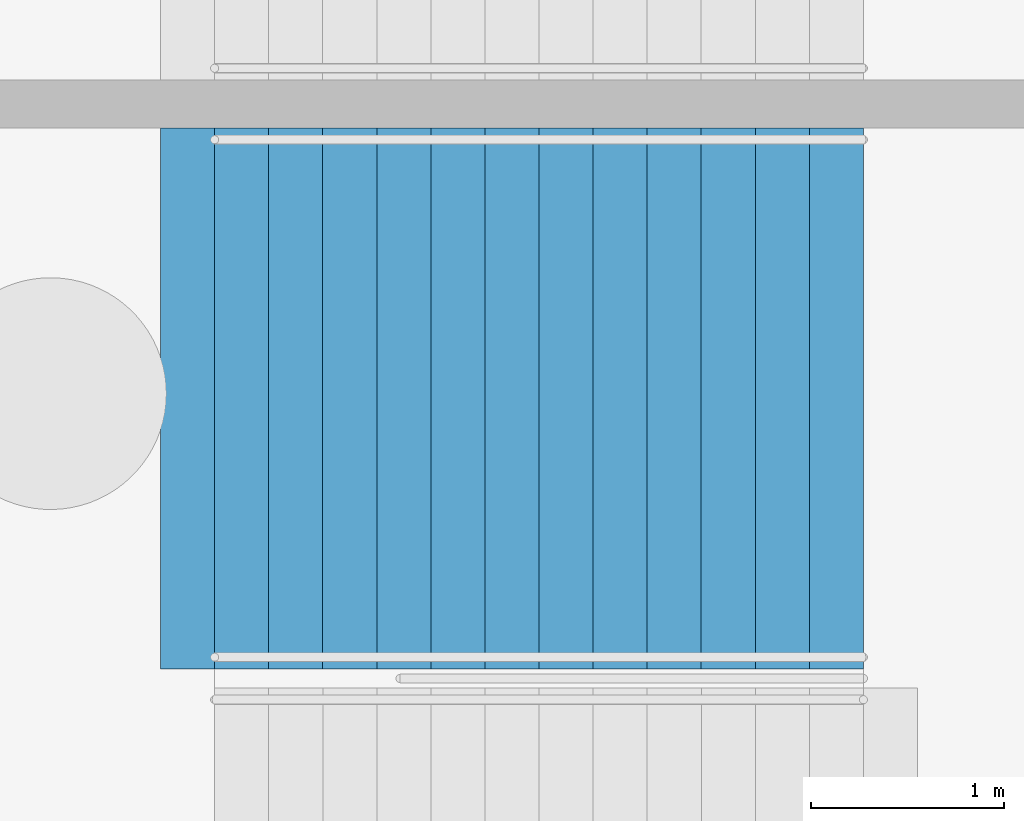
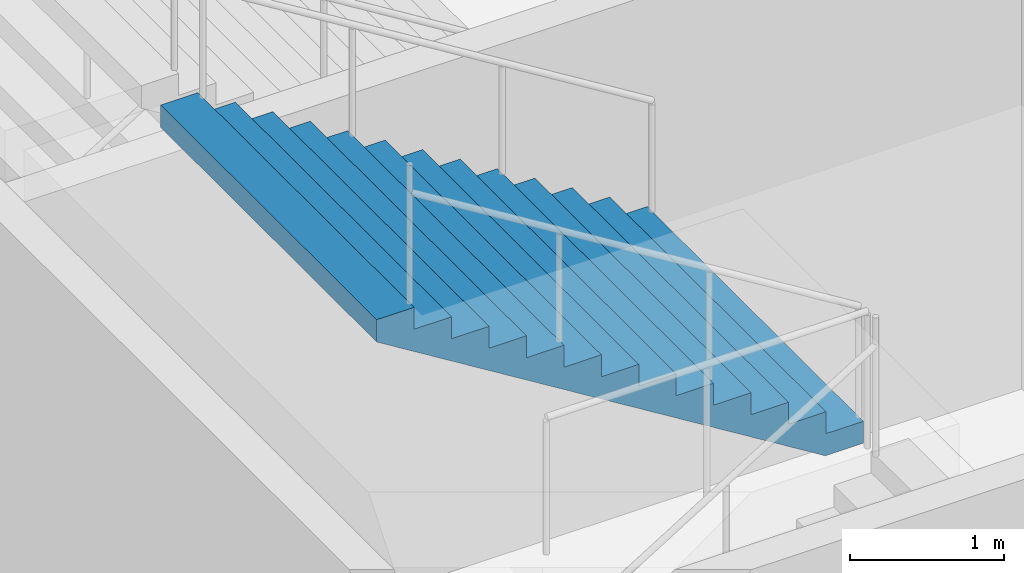
# One storey, part 81 of 115: 1 stair flight, 1 element without a shape of its own.
"""IFC4 building model written with IfcOpenShell, lengths in metres."""

from ifc_helpers import new_model, si_unit, direction, frame, origin, place, context, subcontext, project, spatial, faceted_brep, material, type_object, element, aggregate, save


model = new_model("IFC4")

# Units and contexts
model_context = context("Model", 3, precision=1e-05, world=origin(), true_north=direction((0.0, 1.0)))
body_context = subcontext(model_context, "Body", "Model", "MODEL_VIEW")
ifc_project = project(units=[si_unit("LENGTHUNIT", "METRE"), si_unit("AREAUNIT", "SQUARE_METRE"), si_unit("VOLUMEUNIT", "CUBIC_METRE"), si_unit("PLANEANGLEUNIT", "RADIAN"), si_unit("MASSUNIT", "GRAM", prefix="KILO")], contexts=[model_context])

# Site, building, storey
site_placement = place(None, origin())
site = spatial("IfcSite", under=ifc_project, at=site_placement, CompositionType="ELEMENT")
building_placement = place(site_placement, origin())
building = spatial("IfcBuilding", under=site, at=building_placement, Name="Ogive Plaza Stadium", CompositionType="ELEMENT")
storey_placement = place(building_placement, frame((0.0, 0.0, -4.5)))
storey = spatial("IfcBuildingStorey", under=building, at=storey_placement, Name="B1", CompositionType="ELEMENT", Elevation=-4.5)

# Stair, stair flight
ifc_material_1 = material(Name="Concrete C40/50", Category="concrete")
stair_type = type_object("IfcStairType", Name="Exit stair", PredefinedType="STRAIGHT_RUN_STAIR", material=ifc_material_1)
stair_placement = place(storey_placement, origin())
stair = element("IfcStair", 1, at=stair_placement, inside=storey, type_object=stair_type, Name="Exit stair ST06A B1 to L00", PredefinedType="STRAIGHT_RUN_STAIR")
ifc_material_2 = material(Name="Concrete C40/50", Category="concrete")
stair_flight_type = type_object("IfcStairFlightType", Name="Exit stair flight", PredefinedType="STRAIGHT", material=ifc_material_2)
stair_flight_placement = place(storey_placement, frame((79.7099609375, -24.02490234375, 2.25), z_axis=(0.0, 0.0, 1.0), x_axis=(-1.0, 0.0, 0.0)))
stair_flight = element("IfcStairFlight", 2, at=stair_flight_placement, type_object=stair_flight_type, Name="ST06A flight 2", NumberOfRisers=13, NumberOfTreads=12, PredefinedType="STRAIGHT", RiserHeight=0.173076923, TreadLength=0.28, context=body_context, shape_type="Brep", body=[
    faceted_brep([(0.28515625, -1.39990234375, 0.0), (3.639892578125, -1.39990234375, 2.07373046875), (3.639892578125, -1.39990234375, 2.25), (3.360107421875, -1.39990234375, 2.25), (3.360107421875, -1.39990234375, 2.076904296875), (3.080078125, -1.39990234375, 2.076904296875), (3.080078125, -1.39990234375, 1.90380859375), (2.800048828125, -1.39990234375, 1.90380859375), (2.800048828125, -1.39990234375, 1.730712890625), (2.52001953125, -1.39990234375, 1.730712890625), (2.52001953125, -1.39990234375, 1.5576171875), (2.239990234375, -1.39990234375, 1.5576171875), (2.239990234375, -1.39990234375, 1.384521484375), (1.9599609375, -1.39990234375, 1.384521484375), (1.9599609375, -1.39990234375, 1.21142578125), (1.679931640625, -1.39990234375, 1.21142578125), (1.679931640625, -1.39990234375, 1.03857421875), (1.39990234375, -1.39990234375, 1.03857421875), (1.39990234375, -1.39990234375, 0.865478515625), (1.1201171875, -1.39990234375, 0.865478515625), (1.1201171875, -1.39990234375, 0.6923828125), (0.840087890625, -1.39990234375, 0.6923828125), (0.840087890625, -1.39990234375, 0.519287109375), (0.56005859375, -1.39990234375, 0.519287109375), (0.56005859375, -1.39990234375, 0.34619140625), (0.280029296875, -1.39990234375, 0.34619140625), (0.280029296875, -1.39990234375, 0.173095703125), (0.0, -1.39990234375, 0.173095703125), (0.0, -1.39990234375, 0.0), (0.0, 1.39990234375, 0.0), (0.0, 1.39990234375, 0.173095703125), (0.280029296875, 1.39990234375, 0.173095703125), (0.280029296875, 1.39990234375, 0.34619140625), (0.56005859375, 1.39990234375, 0.34619140625), (0.56005859375, 1.39990234375, 0.519287109375), (0.840087890625, 1.39990234375, 0.519287109375), (0.840087890625, 1.39990234375, 0.6923828125), (1.1201171875, 1.39990234375, 0.6923828125), (1.1201171875, 1.39990234375, 0.865478515625), (1.39990234375, 1.39990234375, 0.865478515625), (1.39990234375, 1.39990234375, 1.03857421875), (1.679931640625, 1.39990234375, 1.03857421875), (1.679931640625, 1.39990234375, 1.21142578125), (1.9599609375, 1.39990234375, 1.21142578125), (1.9599609375, 1.39990234375, 1.384521484375), (2.239990234375, 1.39990234375, 1.384521484375), (2.239990234375, 1.39990234375, 1.5576171875), (2.52001953125, 1.39990234375, 1.5576171875), (2.52001953125, 1.39990234375, 1.730712890625), (2.800048828125, 1.39990234375, 1.730712890625), (2.800048828125, 1.39990234375, 1.90380859375), (3.080078125, 1.39990234375, 1.90380859375), (3.080078125, 1.39990234375, 2.076904296875), (3.360107421875, 1.39990234375, 2.076904296875), (3.360107421875, 1.39990234375, 2.25), (3.639892578125, 1.39990234375, 2.25), (3.639892578125, 1.39990234375, 2.07373046875), (0.28515625, 1.39990234375, 0.0), (0.28515625, -1.0888671875, 0.0), (3.639892578125, -1.0888671875, 2.07373046875), (0.28515625, -0.77783203125, 0.0), (3.639892578125, -0.77783203125, 2.07373046875), (0.28515625, -0.466796875, 0.0), (3.639892578125, -0.466796875, 2.07373046875), (0.28515625, -0.155517578125, 0.0), (3.639892578125, -0.155517578125, 2.07373046875), (0.28515625, 0.155517578125, 0.0), (3.639892578125, 0.155517578125, 2.07373046875), (0.28515625, 0.466796875, 0.0), (3.639892578125, 0.466796875, 2.07373046875), (0.28515625, 0.77783203125, 0.0), (3.639892578125, 0.77783203125, 2.07373046875), (0.28515625, 1.0888671875, 0.0), (3.639892578125, 1.0888671875, 2.07373046875), (3.639892578125, -1.0888671875, 2.25), (3.639892578125, -0.77783203125, 2.25), (3.639892578125, -0.466796875, 2.25), (3.639892578125, -0.155517578125, 2.25), (3.639892578125, 0.155517578125, 2.25), (3.639892578125, 0.466796875, 2.25), (3.639892578125, 0.77783203125, 2.25), (3.639892578125, 1.0888671875, 2.25), (3.360107421875, -1.0888671875, 2.25), (3.360107421875, -0.77783203125, 2.25), (3.360107421875, -0.466796875, 2.25), (3.360107421875, -0.155517578125, 2.25), (3.360107421875, 0.155517578125, 2.25), (3.360107421875, 0.466796875, 2.25), (3.360107421875, 0.77783203125, 2.25), (3.360107421875, 1.0888671875, 2.25), (3.360107421875, -1.0888671875, 2.076904296875), (3.360107421875, -0.77783203125, 2.076904296875), (3.360107421875, -0.466796875, 2.076904296875), (3.360107421875, -0.155517578125, 2.076904296875), (3.360107421875, 0.155517578125, 2.076904296875), (3.360107421875, 0.466796875, 2.076904296875), (3.360107421875, 0.77783203125, 2.076904296875), (3.360107421875, 1.0888671875, 2.076904296875), (3.080078125, -1.0888671875, 2.076904296875), (3.080078125, -0.77783203125, 2.076904296875), (3.080078125, -0.466796875, 2.076904296875), (3.080078125, -0.155517578125, 2.076904296875), (3.080078125, 0.155517578125, 2.076904296875), (3.080078125, 0.466796875, 2.076904296875), (3.080078125, 0.77783203125, 2.076904296875), (3.080078125, 1.0888671875, 2.076904296875), (3.080078125, -1.0888671875, 1.90380859375), (3.080078125, -0.77783203125, 1.90380859375), (3.080078125, -0.466796875, 1.90380859375), (3.080078125, -0.155517578125, 1.90380859375), (3.080078125, 0.155517578125, 1.90380859375), (3.080078125, 0.466796875, 1.90380859375), (3.080078125, 0.77783203125, 1.90380859375), (3.080078125, 1.0888671875, 1.90380859375), (2.800048828125, -1.0888671875, 1.90380859375), (2.800048828125, -0.77783203125, 1.90380859375), (2.800048828125, -0.466796875, 1.90380859375), (2.800048828125, -0.155517578125, 1.90380859375), (2.800048828125, 0.155517578125, 1.90380859375), (2.800048828125, 0.466796875, 1.90380859375), (2.800048828125, 0.77783203125, 1.90380859375), (2.800048828125, 1.0888671875, 1.90380859375), (2.800048828125, -1.0888671875, 1.730712890625), (2.800048828125, -0.77783203125, 1.730712890625), (2.800048828125, -0.466796875, 1.730712890625), (2.800048828125, -0.155517578125, 1.730712890625), (2.800048828125, 0.155517578125, 1.730712890625), (2.800048828125, 0.466796875, 1.730712890625), (2.800048828125, 0.77783203125, 1.730712890625), (2.800048828125, 1.0888671875, 1.730712890625), (2.52001953125, -1.0888671875, 1.730712890625), (2.52001953125, -0.77783203125, 1.730712890625), (2.52001953125, -0.466796875, 1.730712890625), (2.52001953125, -0.155517578125, 1.730712890625), (2.52001953125, 0.155517578125, 1.730712890625), (2.52001953125, 0.466796875, 1.730712890625), (2.52001953125, 0.77783203125, 1.730712890625), (2.52001953125, 1.0888671875, 1.730712890625), (2.52001953125, -1.0888671875, 1.5576171875), (2.52001953125, -0.77783203125, 1.5576171875), (2.52001953125, -0.466796875, 1.5576171875), (2.52001953125, -0.155517578125, 1.5576171875), (2.52001953125, 0.155517578125, 1.5576171875), (2.52001953125, 0.466796875, 1.5576171875), (2.52001953125, 0.77783203125, 1.5576171875), (2.52001953125, 1.0888671875, 1.5576171875), (2.239990234375, -1.0888671875, 1.5576171875), (2.239990234375, -0.77783203125, 1.5576171875), (2.239990234375, -0.466796875, 1.5576171875), (2.239990234375, -0.155517578125, 1.5576171875), (2.239990234375, 0.155517578125, 1.5576171875), (2.239990234375, 0.466796875, 1.5576171875), (2.239990234375, 0.77783203125, 1.5576171875), (2.239990234375, 1.0888671875, 1.5576171875), (2.239990234375, -1.0888671875, 1.384521484375), (2.239990234375, -0.77783203125, 1.384521484375), (2.239990234375, -0.466796875, 1.384521484375), (2.239990234375, -0.155517578125, 1.384521484375), (2.239990234375, 0.155517578125, 1.384521484375), (2.239990234375, 0.466796875, 1.384521484375), (2.239990234375, 0.77783203125, 1.384521484375), (2.239990234375, 1.0888671875, 1.384521484375), (1.9599609375, -1.0888671875, 1.384521484375), (1.9599609375, -0.77783203125, 1.384521484375), (1.9599609375, -0.466796875, 1.384521484375), (1.9599609375, -0.155517578125, 1.384521484375), (1.9599609375, 0.155517578125, 1.384521484375), (1.9599609375, 0.466796875, 1.384521484375), (1.9599609375, 0.77783203125, 1.384521484375), (1.9599609375, 1.0888671875, 1.384521484375), (1.9599609375, -1.0888671875, 1.21142578125), (1.9599609375, -0.77783203125, 1.21142578125), (1.9599609375, -0.466796875, 1.21142578125), (1.9599609375, -0.155517578125, 1.21142578125), (1.9599609375, 0.155517578125, 1.21142578125), (1.9599609375, 0.466796875, 1.21142578125), (1.9599609375, 0.77783203125, 1.21142578125), (1.9599609375, 1.0888671875, 1.21142578125), (1.679931640625, -1.0888671875, 1.21142578125), (1.679931640625, -0.77783203125, 1.21142578125), (1.679931640625, -0.466796875, 1.21142578125), (1.679931640625, -0.155517578125, 1.21142578125), (1.679931640625, 0.155517578125, 1.21142578125), (1.679931640625, 0.466796875, 1.21142578125), (1.679931640625, 0.77783203125, 1.21142578125), (1.679931640625, 1.0888671875, 1.21142578125), (1.679931640625, -1.0888671875, 1.03857421875), (1.679931640625, -0.77783203125, 1.03857421875), (1.679931640625, -0.466796875, 1.03857421875), (1.679931640625, -0.155517578125, 1.03857421875), (1.679931640625, 0.155517578125, 1.03857421875), (1.679931640625, 0.466796875, 1.03857421875), (1.679931640625, 0.77783203125, 1.03857421875), (1.679931640625, 1.0888671875, 1.03857421875), (1.39990234375, -1.0888671875, 1.03857421875), (1.39990234375, -0.77783203125, 1.03857421875), (1.39990234375, -0.466796875, 1.03857421875), (1.39990234375, -0.155517578125, 1.03857421875), (1.39990234375, 0.155517578125, 1.03857421875), (1.39990234375, 0.466796875, 1.03857421875), (1.39990234375, 0.77783203125, 1.03857421875), (1.39990234375, 1.0888671875, 1.03857421875), (1.39990234375, -1.0888671875, 0.865478515625), (1.39990234375, -0.77783203125, 0.865478515625), (1.39990234375, -0.466796875, 0.865478515625), (1.39990234375, -0.155517578125, 0.865478515625), (1.39990234375, 0.155517578125, 0.865478515625), (1.39990234375, 0.466796875, 0.865478515625), (1.39990234375, 0.77783203125, 0.865478515625), (1.39990234375, 1.0888671875, 0.865478515625), (1.1201171875, -1.0888671875, 0.865478515625), (1.1201171875, -0.77783203125, 0.865478515625), (1.1201171875, -0.466796875, 0.865478515625), (1.1201171875, -0.155517578125, 0.865478515625), (1.1201171875, 0.155517578125, 0.865478515625), (1.1201171875, 0.466796875, 0.865478515625), (1.1201171875, 0.77783203125, 0.865478515625), (1.1201171875, 1.0888671875, 0.865478515625), (1.1201171875, -1.0888671875, 0.6923828125), (1.1201171875, -0.77783203125, 0.6923828125), (1.1201171875, -0.466796875, 0.6923828125), (1.1201171875, -0.155517578125, 0.6923828125), (1.1201171875, 0.155517578125, 0.6923828125), (1.1201171875, 0.466796875, 0.6923828125), (1.1201171875, 0.77783203125, 0.6923828125), (1.1201171875, 1.0888671875, 0.6923828125), (0.840087890625, -1.0888671875, 0.6923828125), (0.840087890625, -0.77783203125, 0.6923828125), (0.840087890625, -0.466796875, 0.6923828125), (0.840087890625, -0.155517578125, 0.6923828125), (0.840087890625, 0.155517578125, 0.6923828125), (0.840087890625, 0.466796875, 0.6923828125), (0.840087890625, 0.77783203125, 0.6923828125), (0.840087890625, 1.0888671875, 0.6923828125), (0.840087890625, -1.0888671875, 0.519287109375), (0.840087890625, -0.77783203125, 0.519287109375), (0.840087890625, -0.466796875, 0.519287109375), (0.840087890625, -0.155517578125, 0.519287109375), (0.840087890625, 0.155517578125, 0.519287109375), (0.840087890625, 0.466796875, 0.519287109375), (0.840087890625, 0.77783203125, 0.519287109375), (0.840087890625, 1.0888671875, 0.519287109375), (0.56005859375, -1.0888671875, 0.519287109375), (0.56005859375, -0.77783203125, 0.519287109375), (0.56005859375, -0.466796875, 0.519287109375), (0.56005859375, -0.155517578125, 0.519287109375), (0.56005859375, 0.155517578125, 0.519287109375), (0.56005859375, 0.466796875, 0.519287109375), (0.56005859375, 0.77783203125, 0.519287109375), (0.56005859375, 1.0888671875, 0.519287109375), (0.56005859375, -1.0888671875, 0.34619140625), (0.56005859375, -0.77783203125, 0.34619140625), (0.56005859375, -0.466796875, 0.34619140625), (0.56005859375, -0.155517578125, 0.34619140625), (0.56005859375, 0.155517578125, 0.34619140625), (0.56005859375, 0.466796875, 0.34619140625), (0.56005859375, 0.77783203125, 0.34619140625), (0.56005859375, 1.0888671875, 0.34619140625), (0.280029296875, -1.0888671875, 0.34619140625), (0.280029296875, -0.77783203125, 0.34619140625), (0.280029296875, -0.466796875, 0.34619140625), (0.280029296875, -0.155517578125, 0.34619140625), (0.280029296875, 0.155517578125, 0.34619140625), (0.280029296875, 0.466796875, 0.34619140625), (0.280029296875, 0.77783203125, 0.34619140625), (0.280029296875, 1.0888671875, 0.34619140625), (0.280029296875, -1.0888671875, 0.173095703125), (0.280029296875, -0.77783203125, 0.173095703125), (0.280029296875, -0.466796875, 0.173095703125), (0.280029296875, -0.155517578125, 0.173095703125), (0.280029296875, 0.155517578125, 0.173095703125), (0.280029296875, 0.466796875, 0.173095703125), (0.280029296875, 0.77783203125, 0.173095703125), (0.280029296875, 1.0888671875, 0.173095703125), (0.0, -1.0888671875, 0.173095703125), (0.0, -0.77783203125, 0.173095703125), (0.0, -0.466796875, 0.173095703125), (0.0, -0.155517578125, 0.173095703125), (0.0, 0.155517578125, 0.173095703125), (0.0, 0.466796875, 0.173095703125), (0.0, 0.77783203125, 0.173095703125), (0.0, 1.0888671875, 0.173095703125), (0.0, -1.0888671875, 0.0), (0.0, -0.77783203125, 0.0), (0.0, -0.466796875, 0.0), (0.0, -0.155517578125, 0.0), (0.0, 0.155517578125, 0.0), (0.0, 0.466796875, 0.0), (0.0, 0.77783203125, 0.0), (0.0, 1.0888671875, 0.0)], [[[0, 1, 2, 3, 4, 5, 6, 7, 8, 9, 10, 11, 12, 13, 14, 15, 16, 17, 18, 19, 20, 21, 22, 23, 24, 25, 26, 27, 28]], [[29, 30, 31, 32, 33, 34, 35, 36, 37, 38, 39, 40, 41, 42, 43, 44, 45, 46, 47, 48, 49, 50, 51, 52, 53, 54, 55, 56, 57]], [[0, 58, 59, 1]], [[58, 60, 61, 59]], [[60, 62, 63, 61]], [[62, 64, 65, 63]], [[64, 66, 67, 65]], [[66, 68, 69, 67]], [[68, 70, 71, 69]], [[70, 72, 73, 71]], [[72, 57, 56, 73]], [[1, 59, 74, 2]], [[59, 61, 75, 74]], [[61, 63, 76, 75]], [[63, 65, 77, 76]], [[65, 67, 78, 77]], [[67, 69, 79, 78]], [[69, 71, 80, 79]], [[71, 73, 81, 80]], [[73, 56, 55, 81]], [[2, 74, 82, 3]], [[74, 75, 83, 82]], [[75, 76, 84, 83]], [[76, 77, 85, 84]], [[77, 78, 86, 85]], [[78, 79, 87, 86]], [[79, 80, 88, 87]], [[80, 81, 89, 88]], [[81, 55, 54, 89]], [[3, 82, 90, 4]], [[82, 83, 91, 90]], [[83, 84, 92, 91]], [[84, 85, 93, 92]], [[85, 86, 94, 93]], [[86, 87, 95, 94]], [[87, 88, 96, 95]], [[88, 89, 97, 96]], [[89, 54, 53, 97]], [[4, 90, 98, 5]], [[90, 91, 99, 98]], [[91, 92, 100, 99]], [[92, 93, 101, 100]], [[93, 94, 102, 101]], [[94, 95, 103, 102]], [[95, 96, 104, 103]], [[96, 97, 105, 104]], [[97, 53, 52, 105]], [[5, 98, 106, 6]], [[98, 99, 107, 106]], [[99, 100, 108, 107]], [[100, 101, 109, 108]], [[101, 102, 110, 109]], [[102, 103, 111, 110]], [[103, 104, 112, 111]], [[104, 105, 113, 112]], [[105, 52, 51, 113]], [[6, 106, 114, 7]], [[106, 107, 115, 114]], [[107, 108, 116, 115]], [[108, 109, 117, 116]], [[109, 110, 118, 117]], [[110, 111, 119, 118]], [[111, 112, 120, 119]], [[112, 113, 121, 120]], [[113, 51, 50, 121]], [[7, 114, 122, 8]], [[114, 115, 123, 122]], [[115, 116, 124, 123]], [[116, 117, 125, 124]], [[117, 118, 126, 125]], [[118, 119, 127, 126]], [[119, 120, 128, 127]], [[120, 121, 129, 128]], [[121, 50, 49, 129]], [[8, 122, 130, 9]], [[122, 123, 131, 130]], [[123, 124, 132, 131]], [[124, 125, 133, 132]], [[125, 126, 134, 133]], [[126, 127, 135, 134]], [[127, 128, 136, 135]], [[128, 129, 137, 136]], [[129, 49, 48, 137]], [[9, 130, 138, 10]], [[130, 131, 139, 138]], [[131, 132, 140, 139]], [[132, 133, 141, 140]], [[133, 134, 142, 141]], [[134, 135, 143, 142]], [[135, 136, 144, 143]], [[136, 137, 145, 144]], [[137, 48, 47, 145]], [[10, 138, 146, 11]], [[138, 139, 147, 146]], [[139, 140, 148, 147]], [[140, 141, 149, 148]], [[141, 142, 150, 149]], [[142, 143, 151, 150]], [[143, 144, 152, 151]], [[144, 145, 153, 152]], [[145, 47, 46, 153]], [[11, 146, 154, 12]], [[146, 147, 155, 154]], [[147, 148, 156, 155]], [[148, 149, 157, 156]], [[149, 150, 158, 157]], [[150, 151, 159, 158]], [[151, 152, 160, 159]], [[152, 153, 161, 160]], [[153, 46, 45, 161]], [[12, 154, 162, 13]], [[154, 155, 163, 162]], [[155, 156, 164, 163]], [[156, 157, 165, 164]], [[157, 158, 166, 165]], [[158, 159, 167, 166]], [[159, 160, 168, 167]], [[160, 161, 169, 168]], [[161, 45, 44, 169]], [[13, 162, 170, 14]], [[162, 163, 171, 170]], [[163, 164, 172, 171]], [[164, 165, 173, 172]], [[165, 166, 174, 173]], [[166, 167, 175, 174]], [[167, 168, 176, 175]], [[168, 169, 177, 176]], [[169, 44, 43, 177]], [[14, 170, 178, 15]], [[170, 171, 179, 178]], [[171, 172, 180, 179]], [[172, 173, 181, 180]], [[173, 174, 182, 181]], [[174, 175, 183, 182]], [[175, 176, 184, 183]], [[176, 177, 185, 184]], [[177, 43, 42, 185]], [[15, 178, 186, 16]], [[178, 179, 187, 186]], [[179, 180, 188, 187]], [[180, 181, 189, 188]], [[181, 182, 190, 189]], [[182, 183, 191, 190]], [[183, 184, 192, 191]], [[184, 185, 193, 192]], [[185, 42, 41, 193]], [[16, 186, 194, 17]], [[186, 187, 195, 194]], [[187, 188, 196, 195]], [[188, 189, 197, 196]], [[189, 190, 198, 197]], [[190, 191, 199, 198]], [[191, 192, 200, 199]], [[192, 193, 201, 200]], [[193, 41, 40, 201]], [[17, 194, 202, 18]], [[194, 195, 203, 202]], [[195, 196, 204, 203]], [[196, 197, 205, 204]], [[197, 198, 206, 205]], [[198, 199, 207, 206]], [[199, 200, 208, 207]], [[200, 201, 209, 208]], [[201, 40, 39, 209]], [[18, 202, 210, 19]], [[202, 203, 211, 210]], [[203, 204, 212, 211]], [[204, 205, 213, 212]], [[205, 206, 214, 213]], [[206, 207, 215, 214]], [[207, 208, 216, 215]], [[208, 209, 217, 216]], [[209, 39, 38, 217]], [[19, 210, 218, 20]], [[210, 211, 219, 218]], [[211, 212, 220, 219]], [[212, 213, 221, 220]], [[213, 214, 222, 221]], [[214, 215, 223, 222]], [[215, 216, 224, 223]], [[216, 217, 225, 224]], [[217, 38, 37, 225]], [[20, 218, 226, 21]], [[218, 219, 227, 226]], [[219, 220, 228, 227]], [[220, 221, 229, 228]], [[221, 222, 230, 229]], [[222, 223, 231, 230]], [[223, 224, 232, 231]], [[224, 225, 233, 232]], [[225, 37, 36, 233]], [[21, 226, 234, 22]], [[226, 227, 235, 234]], [[227, 228, 236, 235]], [[228, 229, 237, 236]], [[229, 230, 238, 237]], [[230, 231, 239, 238]], [[231, 232, 240, 239]], [[232, 233, 241, 240]], [[233, 36, 35, 241]], [[22, 234, 242, 23]], [[234, 235, 243, 242]], [[235, 236, 244, 243]], [[236, 237, 245, 244]], [[237, 238, 246, 245]], [[238, 239, 247, 246]], [[239, 240, 248, 247]], [[240, 241, 249, 248]], [[241, 35, 34, 249]], [[23, 242, 250, 24]], [[242, 243, 251, 250]], [[243, 244, 252, 251]], [[244, 245, 253, 252]], [[245, 246, 254, 253]], [[246, 247, 255, 254]], [[247, 248, 256, 255]], [[248, 249, 257, 256]], [[249, 34, 33, 257]], [[24, 250, 258, 25]], [[250, 251, 259, 258]], [[251, 252, 260, 259]], [[252, 253, 261, 260]], [[253, 254, 262, 261]], [[254, 255, 263, 262]], [[255, 256, 264, 263]], [[256, 257, 265, 264]], [[257, 33, 32, 265]], [[25, 258, 266, 26]], [[258, 259, 267, 266]], [[259, 260, 268, 267]], [[260, 261, 269, 268]], [[261, 262, 270, 269]], [[262, 263, 271, 270]], [[263, 264, 272, 271]], [[264, 265, 273, 272]], [[265, 32, 31, 273]], [[26, 266, 274, 27]], [[266, 267, 275, 274]], [[267, 268, 276, 275]], [[268, 269, 277, 276]], [[269, 270, 278, 277]], [[270, 271, 279, 278]], [[271, 272, 280, 279]], [[272, 273, 281, 280]], [[273, 31, 30, 281]], [[27, 274, 282, 28]], [[274, 275, 283, 282]], [[275, 276, 284, 283]], [[276, 277, 285, 284]], [[277, 278, 286, 285]], [[278, 279, 287, 286]], [[279, 280, 288, 287]], [[280, 281, 289, 288]], [[281, 30, 29, 289]], [[28, 282, 58, 0]], [[282, 283, 60, 58]], [[283, 284, 62, 60]], [[284, 285, 64, 62]], [[285, 286, 66, 64]], [[286, 287, 68, 66]], [[287, 288, 70, 68]], [[288, 289, 72, 70]], [[289, 29, 57, 72]]]),
])
aggregate(stair, [stair_flight])

save(model, "model.ifc")
